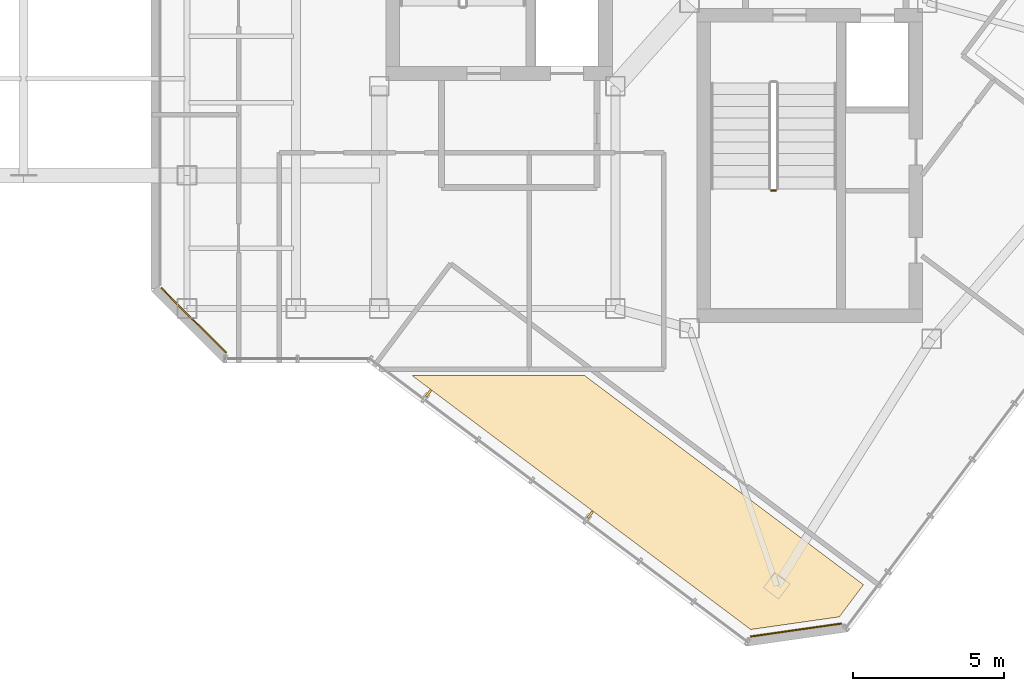
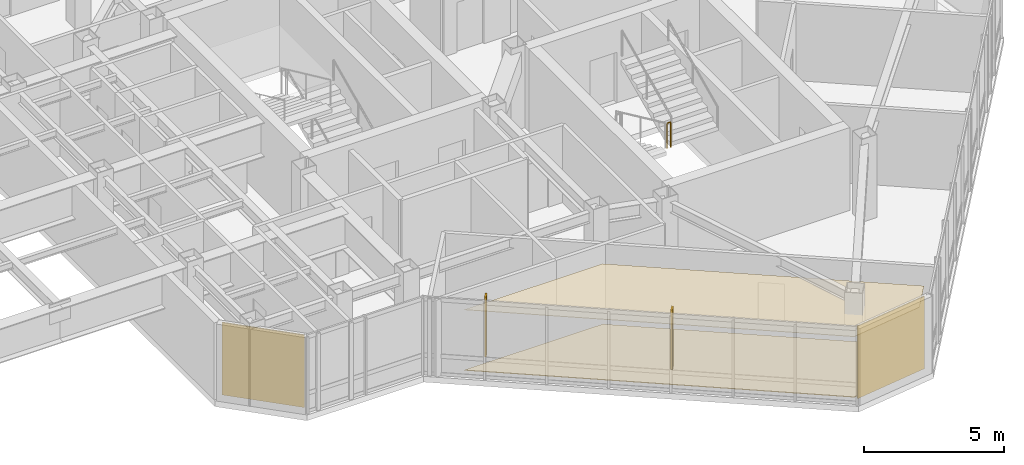
# One storey, part 15 of 17: 4 coverings, 2 shading devices, 1 railing.
"""IFC4 building model written with IfcOpenShell, lengths in metres."""

import ifcopenshell
import ifcopenshell.guid

model = None  # the IFC model being written
_history = None  # IfcOwnerHistory: only IFC2X3 demands one
_inside = {}  # id of a spatial element -> (the spatial element, [elements in it])
_under = {}  # id of a project, library or spatial element -> (it, [spatial elements below it])
_declared = {}  # id of a project -> (the project, [libraries it declares])
_typed = {}  # id of a type object -> (the type object, [elements of that type])
_made_of = {}  # id of a material, layer set ... -> (it, [elements and type objects made of it])


def new_model(schema):
    """Start an empty IFC model of exactly this schema.

    Asked for "IFC4X3", IfcOpenShell would pick the latest addendum, in which some entities
    have other attributes; the version numbers below select the first issue.
    IFC2X3 requires an IfcOwnerHistory on every rooted entity: one is made here for all.
    """
    global model, _history
    if schema == "IFC4X3":
        model = ifcopenshell.file(schema_version=(4, 3, 0, 0))
    else:
        model = ifcopenshell.file(schema=schema)
    _inside.clear()
    _under.clear()
    _declared.clear()
    _typed.clear()
    _made_of.clear()
    _history = None
    if model.schema == "IFC2X3":
        org = make("IfcOrganization", Name="unknown")
        user = make(
            "IfcPersonAndOrganization",
            ThePerson=make("IfcPerson", FamilyName="unknown"),
            TheOrganization=org,
        )
        app = make(
            "IfcApplication",
            ApplicationDeveloper=org,
            Version="unknown",
            ApplicationFullName="unknown",
            ApplicationIdentifier="unknown",
        )
        _history = make(
            "IfcOwnerHistory",
            OwningUser=user,
            OwningApplication=app,
            ChangeAction="ADDED",
            CreationDate=0,
        )
    return model


def make(cls, **values):
    """One entity of the class cls with the attributes given. An attribute that is None is left unset."""
    return model.create_entity(
        cls, **{name: value for name, value in values.items() if value is not None}
    )


def rooted(cls, **values):
    """An entity with a GlobalId (a new one), such as an element, a storey or a relation."""
    return make(cls, GlobalId=ifcopenshell.guid.new(), OwnerHistory=_history, **values)


def si_unit(unit_type, name, prefix=None):
    """IfcSIUnit, for example si_unit("LENGTHUNIT", "METRE", prefix="MILLI")."""
    return make("IfcSIUnit", UnitType=unit_type, Prefix=prefix, Name=name)


def assignment(units):
    """IfcUnitAssignment: the units of a project."""
    return None if units is None else make("IfcUnitAssignment", Units=units)


def point(xyz):
    """IfcCartesianPoint."""
    return None if xyz is None else make("IfcCartesianPoint", Coordinates=xyz)


def direction(xyz):
    """IfcDirection."""
    return None if xyz is None else make("IfcDirection", DirectionRatios=xyz)


def frame(location, z_axis=None, x_axis=None):
    """IfcAxis2Placement3D, a coordinate frame: its origin and axes. An axis left out is left unset."""
    return make(
        "IfcAxis2Placement3D",
        Location=point(location),
        Axis=direction(z_axis),
        RefDirection=direction(x_axis),
    )


def frame_2d(location, x_axis=None):
    """IfcAxis2Placement2D, a coordinate frame in the plane: its origin and x axis."""
    return make(
        "IfcAxis2Placement2D", Location=point(location), RefDirection=direction(x_axis)
    )


def origin():
    """The frame at (0, 0, 0) with its axes left unset."""
    return frame((0.0, 0.0, 0.0))


def origin_2d():
    """The frame at (0, 0) in the plane with its x axis left unset."""
    return frame_2d((0.0, 0.0))


def place(relative_to, where):
    """IfcLocalPlacement: puts the frame where relative to a parent placement (None: the world)."""
    return make(
        "IfcLocalPlacement", PlacementRelTo=relative_to, RelativePlacement=where
    )


def context(
    kind, dimensions, precision=None, world=None, true_north=None, identifier=None
):
    """IfcGeometricRepresentationContext, for example the 3D "Model" context."""
    return make(
        "IfcGeometricRepresentationContext",
        ContextIdentifier=identifier,
        ContextType=kind,
        CoordinateSpaceDimension=dimensions,
        Precision=precision,
        WorldCoordinateSystem=world,
        TrueNorth=true_north,
    )


def subcontext(parent, identifier, kind, view, scale=None):
    """IfcGeometricRepresentationSubContext, for example "Body" below "Model"."""
    return make(
        "IfcGeometricRepresentationSubContext",
        ContextIdentifier=identifier,
        ContextType=kind,
        ParentContext=parent,
        TargetScale=scale,
        TargetView=view,
    )


def project(units=None, contexts=None):
    """IfcProject with its units and contexts."""
    return rooted(
        "IfcProject",
        Name="project",
        RepresentationContexts=contexts,
        UnitsInContext=assignment(units),
    )


def spatial(cls, under=None, at=None, **own):
    """A site, building, storey or space (cls), placed at a placement, below another one or the project."""
    s = rooted(cls, ObjectPlacement=at, **own)
    if under is not None:
        _under.setdefault(under.id(), (under, []))[1].append(s)
    return s


def polyline(points):
    """IfcPolyline through the points."""
    return make("IfcPolyline", Points=[point(p) for p in points])


def profile(cls, at=None, kind="AREA", **sizes):
    """A parametric profile (cls). Its sizes go by their IFC names, for example OverallWidth=200.0."""
    return make(cls, ProfileType=kind, Position=at, **sizes)


def rectangle(**sizes):
    """IfcRectangleProfileDef."""
    return profile("IfcRectangleProfileDef", **sizes)


def circle(**sizes):
    """IfcCircleProfileDef."""
    return profile("IfcCircleProfileDef", **sizes)


def outline(outer, holes=None, kind="AREA"):
    """IfcArbitraryClosedProfileDef: a profile drawn as a closed curve; with holes, ...WithVoids."""
    if holes is None:
        return make("IfcArbitraryClosedProfileDef", ProfileType=kind, OuterCurve=outer)
    return make(
        "IfcArbitraryProfileDefWithVoids",
        ProfileType=kind,
        OuterCurve=outer,
        InnerCurves=holes,
    )


def extrude(swept, where, along, depth):
    """IfcExtrudedAreaSolid: the profile swept, set in the frame where, extruded along a direction by depth."""
    return make(
        "IfcExtrudedAreaSolid",
        SweptArea=swept,
        Position=where,
        ExtrudedDirection=direction(along),
        Depth=depth,
    )


def shape(context_of_items, identifier, shape_type, items):
    """IfcShapeRepresentation: the items that make up one representation, for example the "Body"."""
    return make(
        "IfcShapeRepresentation",
        ContextOfItems=context_of_items,
        RepresentationIdentifier=identifier,
        RepresentationType=shape_type,
        Items=items,
    )


def material(Name=None, Category=None):
    """IfcMaterial."""
    return make("IfcMaterial", Name=Name, Category=Category)


def layer(
    of_material, thickness, ventilated=None, Name=None, Category=None, Priority=None
):
    """IfcMaterialLayer: one layer of a wall or slab, of a material (None: an air gap)."""
    return make(
        "IfcMaterialLayer",
        Material=of_material,
        LayerThickness=thickness,
        IsVentilated=ventilated,
        Name=Name,
        Category=Category,
        Priority=Priority,
    )


def layer_set(layers, Name=None):
    """IfcMaterialLayerSet."""
    return make("IfcMaterialLayerSet", MaterialLayers=layers, LayerSetName=Name)


def made_of(thing, what):
    """Note that an element or type object is made of a material, layer set ...; save() writes the relation."""
    if what is not None:
        _made_of.setdefault(what.id(), (what, []))[1].append(thing)
    return thing


def type_object(cls, material=None, **own):
    """A type object (cls), such as IfcWallType, which elements share."""
    return made_of(rooted(cls, **own), material)


def element(
    cls,
    number,
    at=None,
    inside=None,
    cuts=None,
    type_object=None,
    material=None,
    context=None,
    identifier="Body",
    shape_type=None,
    held_by="IfcProductDefinitionShape",
    body=None,
    shapes=None,
    **own,
):
    """One element of the class cls, such as IfcWall. Its Tag is "e" and its number.

    at: its placement. inside: the storey or other place that contains it. cuts: it is an
    opening in that element (IfcRelVoidsElement). A single representation is given by context,
    identifier, shape_type and body (its items); several are given by shapes. held_by: the class
    of the entity that holds the representations. save() writes the other relations.
    """
    e = rooted(cls, Tag="e%d" % number, ObjectPlacement=at, **own)
    if body is not None:
        shapes = [shape(context, identifier, shape_type, body)]
    if shapes is not None:
        e.Representation = make(held_by, Representations=shapes)
    if inside is not None:
        _inside.setdefault(inside.id(), (inside, []))[1].append(e)
    if cuts is not None:
        rooted(
            "IfcRelVoidsElement", RelatingBuildingElement=cuts, RelatedOpeningElement=e
        )
    if type_object is not None:
        _typed.setdefault(type_object.id(), (type_object, []))[1].append(e)
    return made_of(e, material)


def aggregate(whole, parts):
    """IfcRelAggregates: a whole, such as a stair, and the parts it consists of."""
    return rooted("IfcRelAggregates", RelatingObject=whole, RelatedObjects=parts)


def save(model, path):
    """Write the relations noted so far, then the file.

    IfcRelAggregates (storeys below a building ...), IfcRelContainedInSpatialStructure (elements
    in a storey), IfcRelDefinesByType, IfcRelAssociatesMaterial and IfcRelDeclares: one each for
    every whole, place, type object, material and project.
    """
    for whole, parts in _under.values():
        aggregate(whole, parts)
    for where, things in _inside.values():
        rooted(
            "IfcRelContainedInSpatialStructure",
            RelatedElements=things,
            RelatingStructure=where,
        )
    for kind, things in _typed.values():
        rooted("IfcRelDefinesByType", RelatedObjects=things, RelatingType=kind)
    for what, things in _made_of.values():
        rooted("IfcRelAssociatesMaterial", RelatedObjects=things, RelatingMaterial=what)
    for by, libraries in _declared.values():
        rooted("IfcRelDeclares", RelatingContext=by, RelatedDefinitions=libraries)
    model.write(path)


model = new_model("IFC4")

# Units and contexts
model_context = context("Model", 3, precision=1e-05, world=origin(), true_north=direction((0.0, 1.0)))
body_context = subcontext(model_context, "Body", "Model", "MODEL_VIEW")
ifc_project = project(units=[si_unit("LENGTHUNIT", "METRE"), si_unit("AREAUNIT", "SQUARE_METRE"), si_unit("VOLUMEUNIT", "CUBIC_METRE"), si_unit("PLANEANGLEUNIT", "RADIAN"), si_unit("MASSUNIT", "GRAM", prefix="KILO")], contexts=[model_context])

# Site, building, storey
site_placement = place(None, origin())
site = spatial("IfcSite", under=ifc_project, at=site_placement, CompositionType="ELEMENT")
building_placement = place(site_placement, origin())
building = spatial("IfcBuilding", under=site, at=building_placement, Name="Hatsunagi Terrace Concourse", CompositionType="ELEMENT")
storey_placement = place(building_placement, frame((0.0, 0.0, 253.949951171875)))
storey = spatial("IfcBuildingStorey", under=building, at=storey_placement, Name="L67", CompositionType="ELEMENT", Elevation=253.949951171875)

# Coverings
ifc_material_1 = material(Name="Acoustic mineral board", Category="gypsum")
ifc_layer_1 = layer(ifc_material_1, 0.02001953125)
ifc_layer_set_1 = layer_set([ifc_layer_1], Name="AcousticMineralCeiling_20")
covering_type_1 = type_object("IfcCoveringType", Name="AcousticMineralCeiling_20", PredefinedType="CEILING", material=ifc_layer_set_1)
covering_1_placement = place(storey_placement, frame((0.0, 0.0, 2.630126953125)))
element("IfcCovering", 1, at=covering_1_placement, inside=storey, type_object=covering_type_1, Name="Suspended Ceiling L67-1", PredefinedType="CEILING", context=body_context, shape_type="SweptSolid", body=[
    extrude(outline(polyline([(26.626953125, 22.991943359375), (37.822021484375, 14.595947265625), (40.748046875, 15.013916015625), (41.5458984375, 16.077880859375), (32.327880859375, 22.991943359375), (26.626953125, 22.991943359375)])), origin(), (0.0, 0.0, 1.0), 0.02001953125),
])
ifc_material_2 = material(Name="Granite stone paving", Category="masonry")
ifc_layer_2 = layer(ifc_material_2, 0.02490234375)
ifc_layer_set_2 = layer_set([ifc_layer_2], Name="GraniteStoneFlooring_25")
covering_type_2 = type_object("IfcCoveringType", Name="GraniteStoneFlooring_25", PredefinedType="FLOORING", material=ifc_layer_set_2)
covering_2_placement = place(storey_placement, origin())
element("IfcCovering", 2, at=covering_2_placement, inside=storey, type_object=covering_type_2, Name="Finished Flooring L67-1", PredefinedType="FLOORING", context=body_context, shape_type="SweptSolid", body=[
    extrude(outline(polyline([(26.626953125, 22.991943359375), (37.822021484375, 14.595947265625), (40.748046875, 15.013916015625), (41.5458984375, 16.077880859375), (32.327880859375, 22.991943359375), (26.626953125, 22.991943359375)])), origin(), (0.0, 0.0, 1.0), 0.025146484375),
])

# Railing
ifc_material_3 = material(Name="Stainless steel", Category="steel")
ifc_layer_3 = layer(ifc_material_3, 0.06005859375)
ifc_layer_set_3 = layer_set([ifc_layer_3], Name="StairWellGuard_Tower2000")
railing_type = type_object("IfcRailingType", Name="StairWellGuard_Tower2000", PredefinedType="BALUSTRADE", material=ifc_layer_set_3)
railing_placement = place(storey_placement, frame((38.5, 29.10009765625, 1.800048828125)))
element("IfcRailing", 3, at=railing_placement, inside=storey, type_object=railing_type, Name="L67 ST-B stair guard 2", PredefinedType="BALUSTRADE", context=body_context, shape_type="SweptSolid", body=[
    extrude(circle(Radius=0.02392578125, at=origin_2d()), frame((0.0, 0.0, 1.09619140625), z_axis=(1.0, 0.0, 0.0), x_axis=(0.0, 1.0, 0.0)), (0.0, 0.0, 1.0), 0.14990234375),
    extrude(circle(Radius=0.02099609375, at=origin_2d()), origin(), (0.0, 0.0, 1.0), 1.072021484375),
    extrude(circle(Radius=0.02099609375, at=origin_2d()), frame((0.14990234375, 0.0, 0.0)), (0.0, 0.0, 1.0), 1.072021484375),
])

# Shading devices
ifc_material_4 = material(Name="Extruded Unglazed Terracotta Baguette", Category="masonry")
shading_device_type = type_object("IfcShadingDeviceType", Name="TerracottaFinScreen_260x70", PredefinedType="USERDEFINED", material=ifc_material_4)
for number, where, z_axis, x_axis, name in (
    (4, (32.52294921875, 18.39501953125, 0.85009765625), (0.0, 0.0, 1.0), (-0.800007305671, 0.599990258982, 0.0), "Terracotta Baguette Fin Screen SCR-01"),
    (5, (27.178955078125, 22.404052734375, 0.85009765625), (0.0, 0.0, 1.0), (-0.800007305671, 0.599990258982, 0.0), "Terracotta Baguette Fin Screen SCR-01"),
):
    element("IfcShadingDevice", number, at=place(storey_placement, frame(where, z_axis=z_axis, x_axis=x_axis)), inside=storey, type_object=shading_device_type, Name=name, ObjectType="SUNSHADE", PredefinedType="USERDEFINED", context=body_context, shape_type="SweptSolid", body=[
        extrude(rectangle(XDim=0.070068359375, YDim=0.260009765625, at=origin_2d()), origin(), (0.0, 0.0, 1.0), 2.60009765625),
    ])

# Coverings
ifc_material_5 = material(Name="Unglazed Warm Terracotta Rainscreen Tile", Category="masonry")
ifc_layer_4 = layer(ifc_material_5, 0.044921875)
ifc_layer_set_4 = layer_set([ifc_layer_4], Name="TerracottaRainscreenCladding_45")
covering_type_3 = type_object("IfcCoveringType", Name="TerracottaRainscreenCladding_45", PredefinedType="CLADDING", material=ifc_layer_set_4)
for number, where, z_axis, x_axis, name in (
    (6, (39.318115234375, 14.5791015625, 0.10009765625), (0.0, 0.0, 1.0), (-0.989973920543, -0.141250262458, 0.0), "Terracotta Rainscreen Cladding L67-04"),
    (7, (19.4140625, 24.81396484375, 0.10009765625), (0.0, 0.0, 1.0), (-0.707106781187, 0.707106781187, 0.0), "Terracotta Rainscreen Cladding L67-07"),
):
    element("IfcCovering", number, at=place(storey_placement, frame(where, z_axis=z_axis, x_axis=x_axis)), inside=storey, type_object=covering_type_3, Name=name, PredefinedType="CLADDING", context=body_context, shape_type="SweptSolid", body=[
        extrude(rectangle(XDim=3.0380859375, YDim=0.044921875, at=origin_2d()), origin(), (0.0, 0.0, 1.0), 3.14990234375),
    ])

save(model, "model.ifc")
